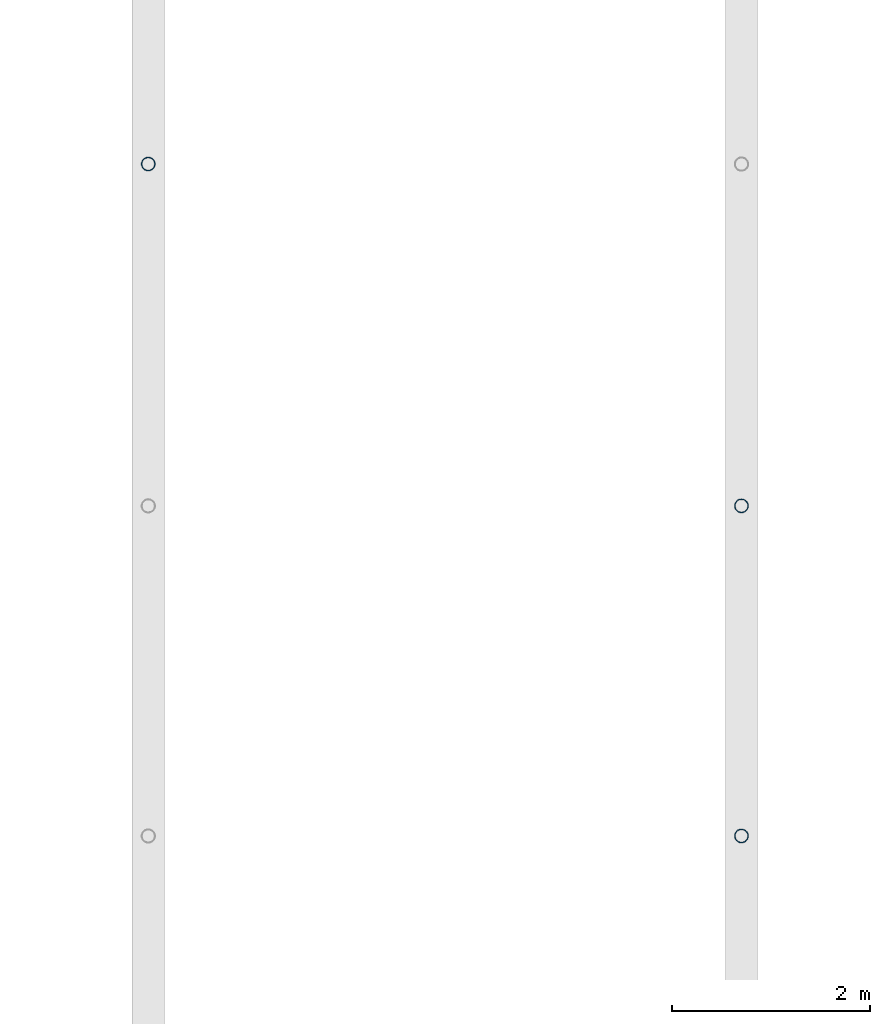
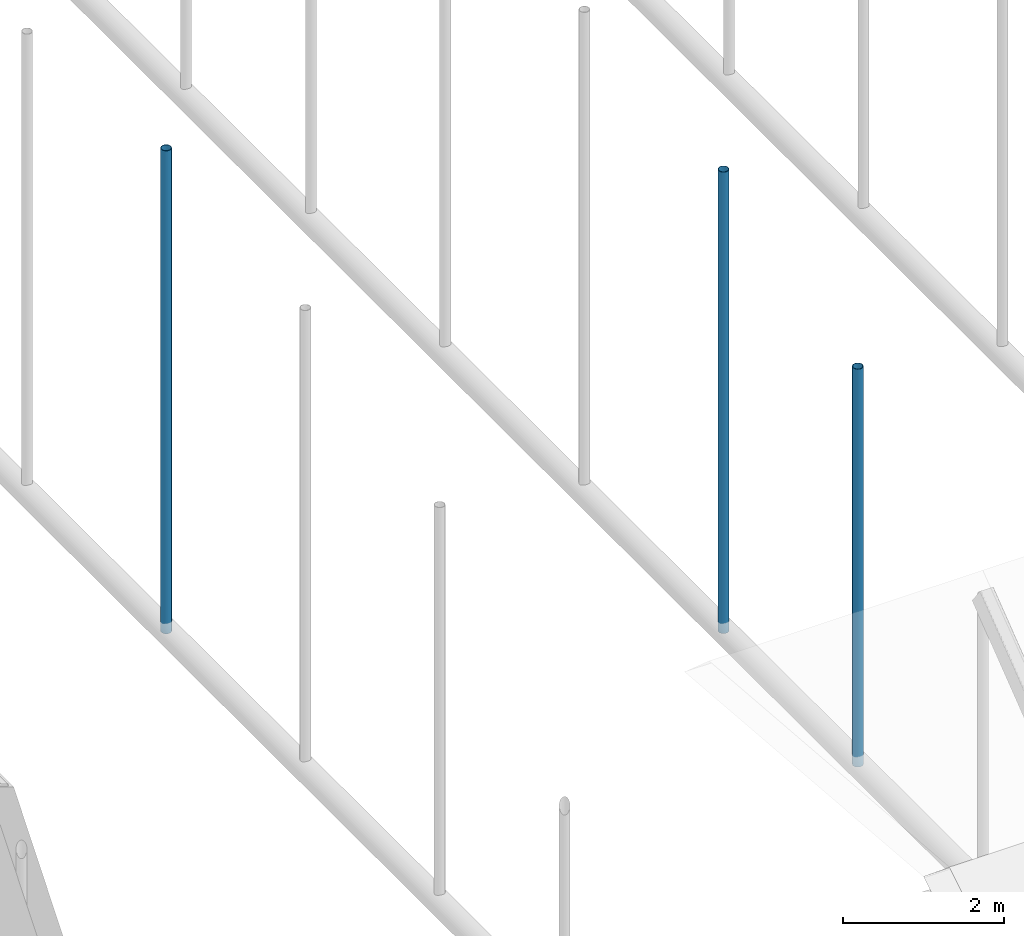
# One storey, part 33 of 116: 3 members.
"""IFC4 building model written with IfcOpenShell, lengths in metres."""

from ifc_helpers import new_model, si_unit, direction, frame, origin, origin_2d, place, context, subcontext, project, spatial, hollow_circle, extrude, material, material_profile, profile_set, type_object, element, save


model = new_model("IFC4")

# Units and contexts
model_context = context("Model", 3, precision=1e-05, world=origin(), true_north=direction((0.0, 1.0)))
body_context = subcontext(model_context, "Body", "Model", "MODEL_VIEW")
ifc_project = project(units=[si_unit("LENGTHUNIT", "METRE"), si_unit("AREAUNIT", "SQUARE_METRE"), si_unit("VOLUMEUNIT", "CUBIC_METRE"), si_unit("PLANEANGLEUNIT", "RADIAN"), si_unit("MASSUNIT", "GRAM", prefix="KILO")], contexts=[model_context])

# Site, building, storey
site_placement = place(None, origin())
site = spatial("IfcSite", under=ifc_project, at=site_placement, CompositionType="ELEMENT")
building_placement = place(site_placement, origin())
building = spatial("IfcBuilding", under=site, at=building_placement, Name="Varnakota Square Police Headquarters", CompositionType="ELEMENT")
storey_placement = place(building_placement, frame((0.0, 0.0, 9.300048828125)))
storey = spatial("IfcBuildingStorey", under=building, at=storey_placement, Name="L02", CompositionType="ELEMENT", Elevation=9.300048828125)

# Members
ifc_material = material(Name="Steel IS 2062 Grade 350", Category="steel")
ifc_material_profile = material_profile(ifc_material, hollow_circle(Radius=0.06982421875, WallThickness=0.006103515625, at=origin_2d()), Name="CHS 139.7x6.0")
ifc_profile_set = profile_set([ifc_material_profile], Name="Steel IS 2062 Grade 350")
member_type = type_object("IfcMemberType", Name="MEM-HNG-CHS139", PredefinedType="STRUT", material=ifc_profile_set)
member_1_placement = place(storey_placement, frame((60.0, 24.0, -0.150146484375), z_axis=(0.0, 0.0, 1.0), x_axis=(1.0, 0.0, 0.0)))
element("IfcMember", 1, at=member_1_placement, inside=storey, type_object=member_type, Name="Barrel vault hanger strut V1-R02-N5", PredefinedType="STRUT", context=body_context, shape_type="SweptSolid", body=[
    extrude(hollow_circle(Radius=0.06982421875, WallThickness=0.006103515625, at=origin_2d()), origin(), (0.0, 0.0, 1.0), 7.326416015625),
])
member_2_placement = place(storey_placement, frame((66.0, 17.20361328125, -0.150146484375), z_axis=(0.0, 0.0, 1.0), x_axis=(1.0, 0.0, 0.0)))
element("IfcMember", 2, at=member_2_placement, inside=storey, type_object=member_type, Name="Barrel vault hanger strut V1-R03-N3", PredefinedType="STRUT", context=body_context, shape_type="SweptSolid", body=[
    extrude(hollow_circle(Radius=0.06982421875, WallThickness=0.006103515625, at=origin_2d()), origin(), (0.0, 0.0, 1.0), 6.035400390625),
])
member_3_placement = place(storey_placement, frame((66.0, 20.54248046875, -0.150146484375), z_axis=(0.0, 0.0, 1.0), x_axis=(1.0, 0.0, 0.0)))
element("IfcMember", 3, at=member_3_placement, inside=storey, type_object=member_type, Name="Barrel vault hanger strut V1-R03-N4", PredefinedType="STRUT", context=body_context, shape_type="SweptSolid", body=[
    extrude(hollow_circle(Radius=0.06982421875, WallThickness=0.006103515625, at=origin_2d()), origin(), (0.0, 0.0, 1.0), 7.0),
])

save(model, "model.ifc")
